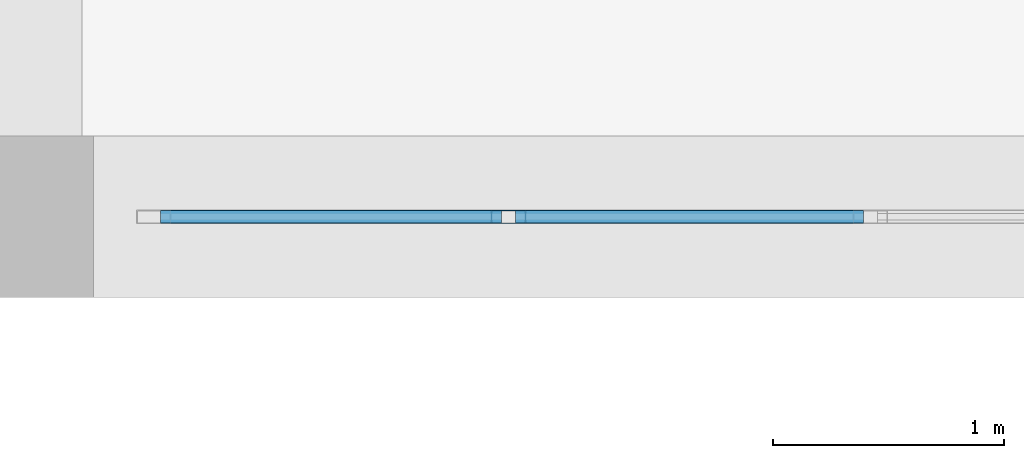
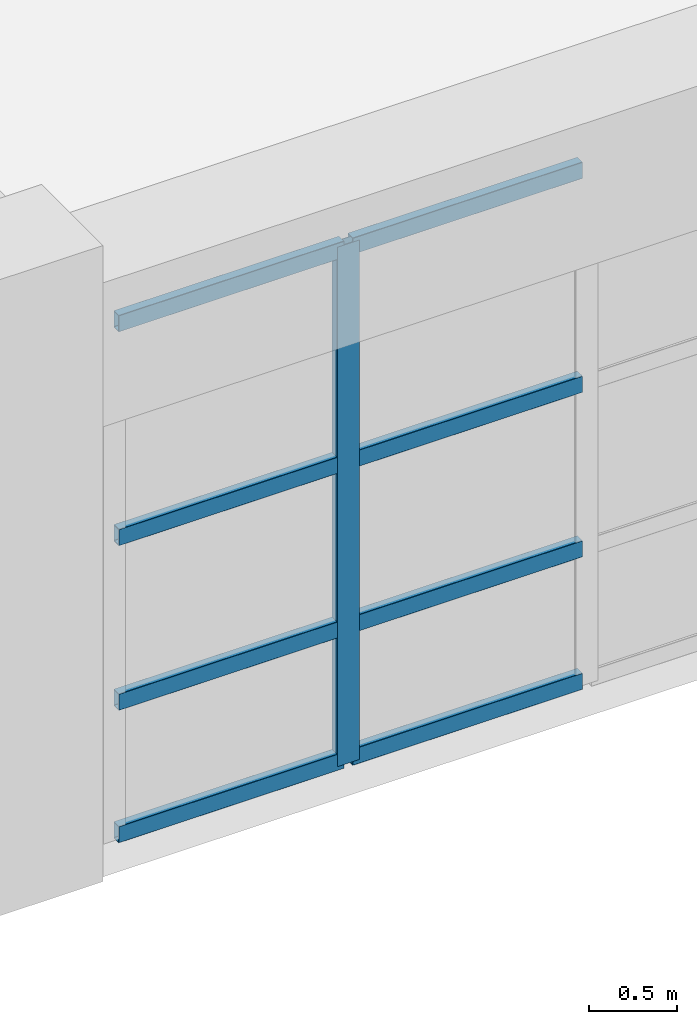
# One storey, part 34 of 133: 9 members, 1 element without a shape of its own.
"""IFC4 building model written with IfcOpenShell, lengths in metres."""

from ifc_helpers import new_model, si_unit, direction, frame, origin, origin_2d, place, context, subcontext, project, spatial, hollow_rectangle, extrude, material, material_profile, profile_set, type_object, element, aggregate, save


model = new_model("IFC4")

# Units and contexts
model_context = context("Model", 3, precision=1e-05, world=origin(), true_north=direction((0.0, 1.0)))
body_context = subcontext(model_context, "Body", "Model", "MODEL_VIEW")
ifc_project = project(units=[si_unit("LENGTHUNIT", "METRE"), si_unit("AREAUNIT", "SQUARE_METRE"), si_unit("VOLUMEUNIT", "CUBIC_METRE"), si_unit("PLANEANGLEUNIT", "RADIAN"), si_unit("MASSUNIT", "GRAM", prefix="KILO")], contexts=[model_context])

# Site, building, storey
site_placement = place(None, origin())
site = spatial("IfcSite", under=ifc_project, at=site_placement, CompositionType="ELEMENT")
building_placement = place(site_placement, origin())
building = spatial("IfcBuilding", under=site, at=building_placement, Name="Miravela Opera House", CompositionType="ELEMENT")
storey_placement = place(building_placement, frame((0.0, 0.0, 5.10009765625)))
storey = spatial("IfcBuildingStorey", under=building, at=storey_placement, Name="L01", CompositionType="ELEMENT", Elevation=5.10009765625)

# Curtain wall, members
ifc_material = material(Name="Anodised architectural bronze aluminium 6063-T6", Category="aluminium")
curtain_wall_type = type_object("IfcCurtainWallType", Name="ARC-CW-06", PredefinedType="NOTDEFINED", material=ifc_material)
curtain_wall_placement = place(storey_placement, origin())
curtain_wall = element("IfcCurtainWall", 1, at=curtain_wall_placement, inside=storey, type_object=curtain_wall_type, Name="Courtyard Arcade Curtain Wall CW-L01-128", PredefinedType="NOTDEFINED")
ifc_material_profile_1 = material_profile(ifc_material, hollow_rectangle(XDim=0.06005859375, YDim=0.14990234375, WallThickness=0.00390625, InnerFilletRadius=0.001953125, OuterFilletRadius=0.00390625, at=origin_2d()), Name="CWM-60X150")
ifc_profile_set_1 = profile_set([ifc_material_profile_1])
member_type_1 = type_object("IfcMemberType", Name="ARC-CWM-150", PredefinedType="MULLION", material=ifc_profile_set_1)
member_1_placement = place(storey_placement, frame((47.14794921875, 28.0, 0.0), z_axis=(0.0, 0.0, 1.0), x_axis=(0.0, 1.0, 0.0)))
member_1 = element("IfcMember", 2, at=member_1_placement, type_object=member_type_1, Name="CW-06 mullion 2", PredefinedType="MULLION", context=body_context, shape_type="SweptSolid", body=[
    extrude(hollow_rectangle(XDim=0.06005859375, YDim=0.14990234375, WallThickness=0.00390625, InnerFilletRadius=0.001953125, OuterFilletRadius=0.00390625, at=origin_2d()), origin(), (0.0, 0.0, 1.0), 3.60986328125),
])
ifc_material_profile_2 = material_profile(ifc_material, hollow_rectangle(XDim=0.06005859375, YDim=0.114990234375, WallThickness=0.00390625, InnerFilletRadius=0.001953125, OuterFilletRadius=0.00390625, at=origin_2d()), Name="CWT-60X115")
ifc_profile_set_2 = profile_set([ifc_material_profile_2])
member_type_2 = type_object("IfcMemberType", Name="ARC-CWT-115", PredefinedType="USERDEFINED", material=ifc_profile_set_2)
member_2_placement = place(storey_placement, frame((45.639892578125, 28.0, 0.02978515625), z_axis=(1.0, 0.0, 0.0), x_axis=(0.0, 1.0, 0.0)))
member_2 = element("IfcMember", 3, at=member_2_placement, type_object=member_type_2, Name="CW-06 transom 1.1", ObjectType="TRANSOM", PredefinedType="USERDEFINED", context=body_context, shape_type="SweptSolid", body=[
    extrude(hollow_rectangle(XDim=0.06005859375, YDim=0.114990234375, WallThickness=0.00390625, InnerFilletRadius=0.001953125, OuterFilletRadius=0.00390625, at=origin_2d()), origin(), (0.0, 0.0, 1.0), 1.47802734375),
])
member_3_placement = place(storey_placement, frame((45.639892578125, 28.0, 0.949951171875), z_axis=(1.0, 0.0, 0.0), x_axis=(0.0, 1.0, 0.0)))
member_3 = element("IfcMember", 4, at=member_3_placement, type_object=member_type_2, Name="CW-06 transom 1.2", ObjectType="TRANSOM", PredefinedType="USERDEFINED", context=body_context, shape_type="SweptSolid", body=[
    extrude(hollow_rectangle(XDim=0.06005859375, YDim=0.114990234375, WallThickness=0.00390625, InnerFilletRadius=0.001953125, OuterFilletRadius=0.00390625, at=origin_2d()), origin(), (0.0, 0.0, 1.0), 1.47802734375),
])
member_4_placement = place(storey_placement, frame((45.639892578125, 28.0, 2.09375), z_axis=(1.0, 0.0, 0.0), x_axis=(0.0, 1.0, 0.0)))
member_4 = element("IfcMember", 5, at=member_4_placement, type_object=member_type_2, Name="CW-06 transom 1.3", ObjectType="TRANSOM", PredefinedType="USERDEFINED", context=body_context, shape_type="SweptSolid", body=[
    extrude(hollow_rectangle(XDim=0.06005859375, YDim=0.114990234375, WallThickness=0.00390625, InnerFilletRadius=0.001953125, OuterFilletRadius=0.00390625, at=origin_2d()), origin(), (0.0, 0.0, 1.0), 1.47802734375),
])
member_5_placement = place(storey_placement, frame((45.639892578125, 28.0, 3.579833984375), z_axis=(1.0, 0.0, 0.0), x_axis=(0.0, 1.0, 0.0)))
member_5 = element("IfcMember", 6, at=member_5_placement, type_object=member_type_2, Name="CW-06 transom 1.4", ObjectType="TRANSOM", PredefinedType="USERDEFINED", context=body_context, shape_type="SweptSolid", body=[
    extrude(hollow_rectangle(XDim=0.06005859375, YDim=0.114990234375, WallThickness=0.00390625, InnerFilletRadius=0.001953125, OuterFilletRadius=0.00390625, at=origin_2d()), origin(), (0.0, 0.0, 1.0), 1.47802734375),
])
member_6_placement = place(storey_placement, frame((47.177978515625, 28.0, 0.02978515625), z_axis=(1.0, 0.0, 0.0), x_axis=(0.0, 1.0, 0.0)))
member_6 = element("IfcMember", 7, at=member_6_placement, type_object=member_type_2, Name="CW-06 transom 2.1", ObjectType="TRANSOM", PredefinedType="USERDEFINED", context=body_context, shape_type="SweptSolid", body=[
    extrude(hollow_rectangle(XDim=0.06005859375, YDim=0.114990234375, WallThickness=0.00390625, InnerFilletRadius=0.001953125, OuterFilletRadius=0.00390625, at=origin_2d()), origin(), (0.0, 0.0, 1.0), 1.508056640625),
])
member_7_placement = place(storey_placement, frame((47.177978515625, 28.0, 0.949951171875), z_axis=(1.0, 0.0, 0.0), x_axis=(0.0, 1.0, 0.0)))
member_7 = element("IfcMember", 8, at=member_7_placement, type_object=member_type_2, Name="CW-06 transom 2.2", ObjectType="TRANSOM", PredefinedType="USERDEFINED", context=body_context, shape_type="SweptSolid", body=[
    extrude(hollow_rectangle(XDim=0.06005859375, YDim=0.114990234375, WallThickness=0.00390625, InnerFilletRadius=0.001953125, OuterFilletRadius=0.00390625, at=origin_2d()), origin(), (0.0, 0.0, 1.0), 1.508056640625),
])
member_8_placement = place(storey_placement, frame((47.177978515625, 28.0, 2.09375), z_axis=(1.0, 0.0, 0.0), x_axis=(0.0, 1.0, 0.0)))
member_8 = element("IfcMember", 9, at=member_8_placement, type_object=member_type_2, Name="CW-06 transom 2.3", ObjectType="TRANSOM", PredefinedType="USERDEFINED", context=body_context, shape_type="SweptSolid", body=[
    extrude(hollow_rectangle(XDim=0.06005859375, YDim=0.114990234375, WallThickness=0.00390625, InnerFilletRadius=0.001953125, OuterFilletRadius=0.00390625, at=origin_2d()), origin(), (0.0, 0.0, 1.0), 1.508056640625),
])
member_9_placement = place(storey_placement, frame((47.177978515625, 28.0, 3.579833984375), z_axis=(1.0, 0.0, 0.0), x_axis=(0.0, 1.0, 0.0)))
member_9 = element("IfcMember", 10, at=member_9_placement, type_object=member_type_2, Name="CW-06 transom 2.4", ObjectType="TRANSOM", PredefinedType="USERDEFINED", context=body_context, shape_type="SweptSolid", body=[
    extrude(hollow_rectangle(XDim=0.06005859375, YDim=0.114990234375, WallThickness=0.00390625, InnerFilletRadius=0.001953125, OuterFilletRadius=0.00390625, at=origin_2d()), origin(), (0.0, 0.0, 1.0), 1.508056640625),
])
aggregate(curtain_wall, [member_1, member_2, member_3, member_4, member_5, member_6, member_7, member_8, member_9])

save(model, "model.ifc")
